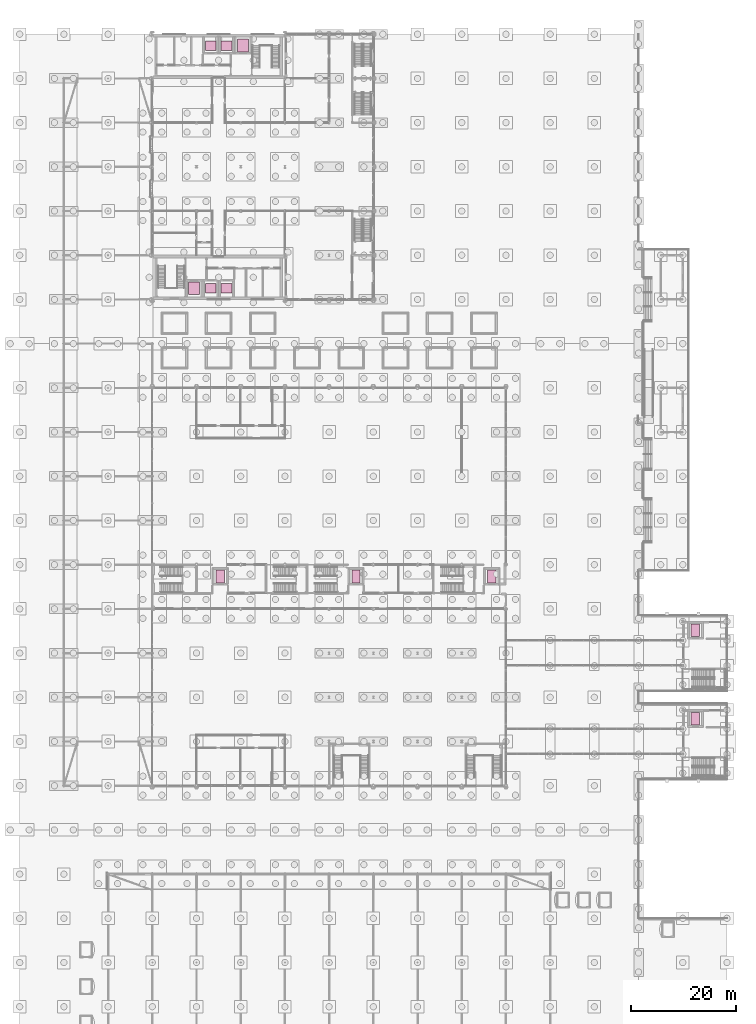
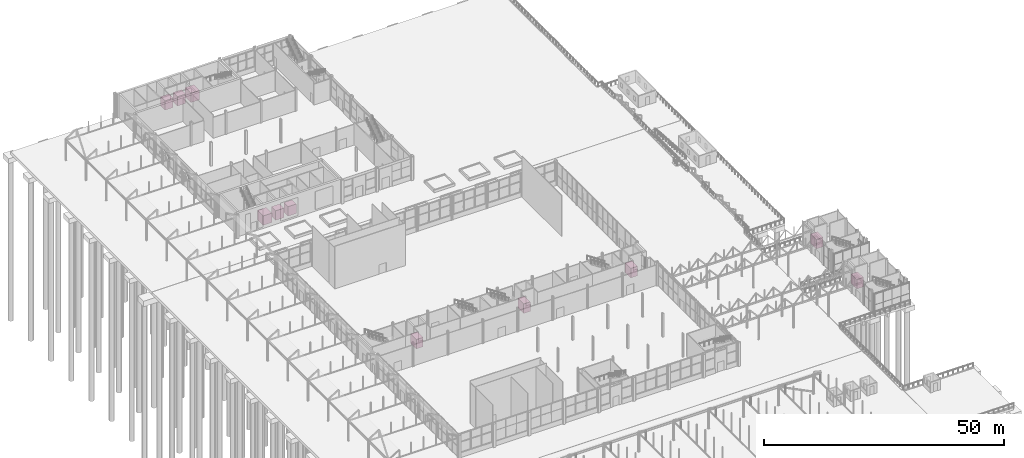
# One storey, part 212 of 212: 11 transport elements.
"""IFC4 building model written with IfcOpenShell, lengths in metres."""

from ifc_helpers import new_model, si_unit, direction, frame, origin, origin_2d, place, context, subcontext, project, spatial, rectangle, extrude, material, type_object, element, save


model = new_model("IFC4")

# Units and contexts
model_context = context("Model", 3, precision=1e-05, world=origin(), true_north=direction((0.0, 1.0)))
body_context = subcontext(model_context, "Body", "Model", "MODEL_VIEW")
ifc_project = project(units=[si_unit("LENGTHUNIT", "METRE"), si_unit("AREAUNIT", "SQUARE_METRE"), si_unit("VOLUMEUNIT", "CUBIC_METRE"), si_unit("PLANEANGLEUNIT", "RADIAN"), si_unit("MASSUNIT", "GRAM", prefix="KILO")], contexts=[model_context])

# Site, building, storey
site_placement = place(None, origin())
site = spatial("IfcSite", under=ifc_project, at=site_placement, CompositionType="ELEMENT")
building_placement = place(site_placement, origin())
building = spatial("IfcBuilding", under=site, at=building_placement, Name="Catenary Quay Ferry Terminal", CompositionType="ELEMENT")
storey_placement = place(building_placement, origin())
storey = spatial("IfcBuildingStorey", under=building, at=storey_placement, Name="L00", CompositionType="ELEMENT", Elevation=0.0)

# Transport elements
ifc_material_1 = material(Name="Stainless steel", Category="steel")
transport_element_type_1 = type_object("IfcTransportElementType", Name="LC1800-1600x2400", PredefinedType="ELEVATOR", material=ifc_material_1)
for number, where, z_axis, x_axis, name in (
    (1, (128.39990234375, 79.949951171875, 0.0), (0.0, 0.0, 1.0), (1.0, 0.0, 0.0), "Lift BL1"),
    (2, (128.39990234375, 96.75, 0.0), (0.0, 0.0, 1.0), (1.0, 0.0, 0.0), "Lift BL2"),
    (3, (38.10009765625, 106.949951171875, 0.0), (0.0, 0.0, 1.0), (1.0, 0.0, 0.0), "Lift TL1"),
    (4, (63.89990234375, 106.949951171875, 0.0), (0.0, 0.0, 1.0), (1.0, 0.0, 0.0), "Lift TL2"),
    (5, (89.699951171875, 106.949951171875, 0.0), (0.0, 0.0, 1.0), (1.0, 0.0, 0.0), "Lift TL3"),
):
    element("IfcTransportElement", number, at=place(storey_placement, frame(where, z_axis=z_axis, x_axis=x_axis)), inside=storey, type_object=transport_element_type_1, Name=name, PredefinedType="ELEVATOR", context=body_context, shape_type="SweptSolid", body=[
        extrude(rectangle(XDim=1.60009765625, YDim=2.39990234375, at=origin_2d()), origin(), (0.0, 0.0, 1.0), 2.39990234375),
    ])
ifc_material_2 = material(Name="Stainless steel", Category="steel")
transport_element_type_2 = type_object("IfcTransportElementType", Name="LC1800-2000x1800", PredefinedType="ELEVATOR", material=ifc_material_2)
for number, where, z_axis, x_axis, name in (
    (6, (36.300048828125, 161.75, 0.0), (0.0, 0.0, 1.0), (1.0, 0.0, 0.0), "Lift GL1"),
    (7, (39.300048828125, 161.75, 0.0), (0.0, 0.0, 1.0), (1.0, 0.0, 0.0), "Lift GL2"),
    (8, (39.300048828125, 207.85009765625, 0.0), (0.0, 0.0, 1.0), (1.0, 0.0, 0.0), "Lift GL3"),
    (9, (36.300048828125, 207.85009765625, 0.0), (0.0, 0.0, 1.0), (1.0, 0.0, 0.0), "Lift GL4"),
):
    element("IfcTransportElement", number, at=place(storey_placement, frame(where, z_axis=z_axis, x_axis=x_axis)), inside=storey, type_object=transport_element_type_2, Name=name, PredefinedType="ELEVATOR", context=body_context, shape_type="SweptSolid", body=[
        extrude(rectangle(XDim=2.0, YDim=1.800048828125, at=origin_2d()), origin(), (0.0, 0.0, 1.0), 2.39990234375),
    ])
ifc_material_3 = material(Name="Stainless steel", Category="steel")
transport_element_type_3 = type_object("IfcTransportElementType", Name="LC3000-2100x2400", PredefinedType="ELEVATOR", material=ifc_material_3)
for number, where, z_axis, x_axis, name in (
    (10, (33.14990234375, 161.75, 0.0), (0.0, 0.0, 1.0), (1.0, 0.0, 0.0), "Lift FL1"),
    (11, (42.449951171875, 207.85009765625, 0.0), (0.0, 0.0, 1.0), (1.0, 0.0, 0.0), "Lift FL2"),
):
    element("IfcTransportElement", number, at=place(storey_placement, frame(where, z_axis=z_axis, x_axis=x_axis)), inside=storey, type_object=transport_element_type_3, Name=name, PredefinedType="ELEVATOR", context=body_context, shape_type="SweptSolid", body=[
        extrude(rectangle(XDim=2.10009765625, YDim=2.39990234375, at=origin_2d()), origin(), (0.0, 0.0, 1.0), 2.39990234375),
    ])

save(model, "model.ifc")
